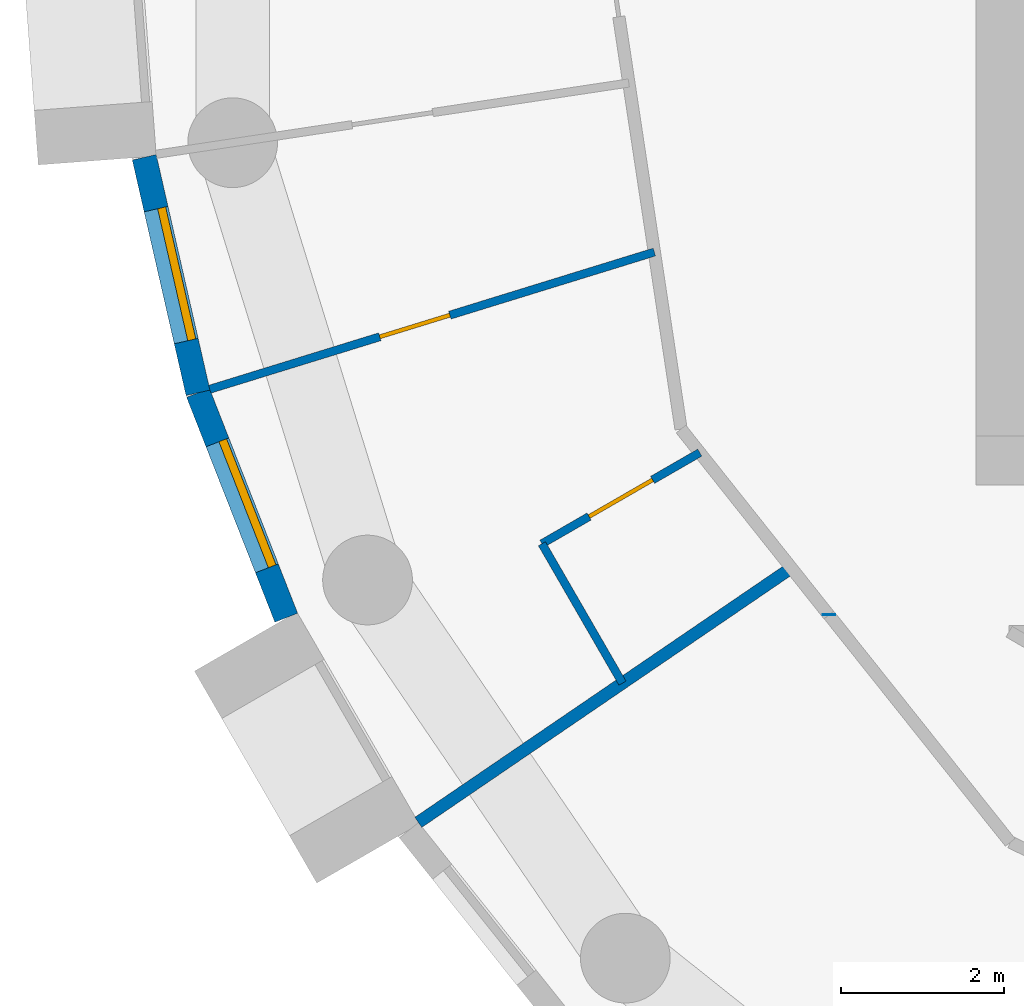
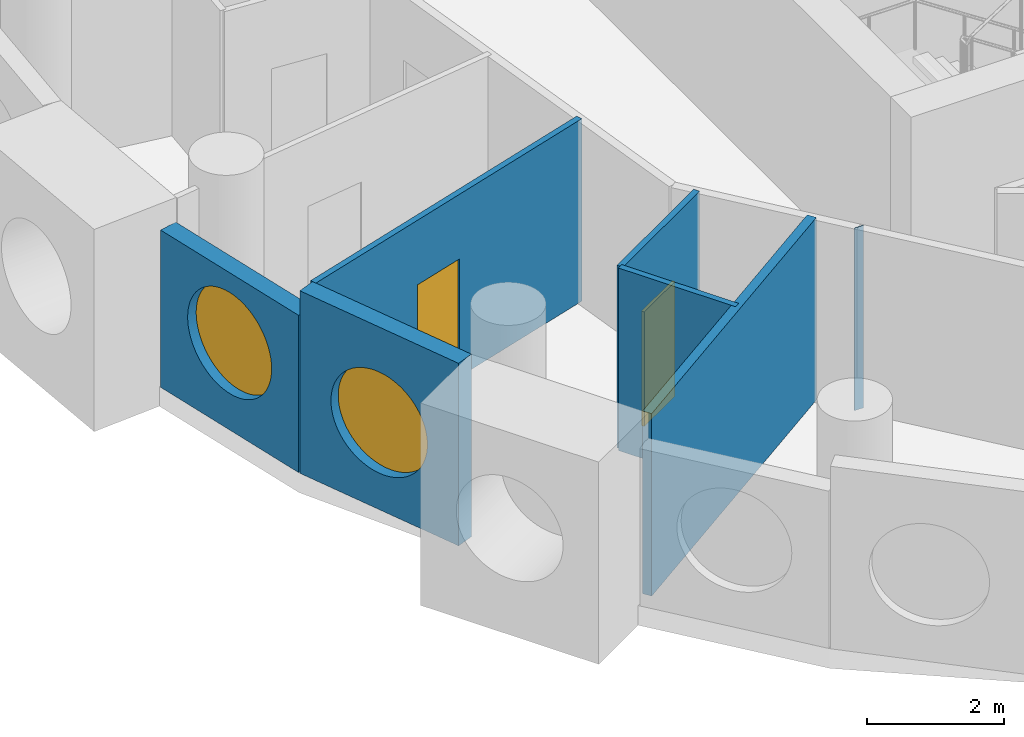
# One storey, part 2 of 11: 7 walls, 2 doors, 2 windows, 4 openings.
"""IFC4 building model written with IfcOpenShell, lengths in metres."""

from ifc_helpers import new_model, si_unit, direction, frame, frame_2d, origin, origin_2d, place, context, subcontext, project, spatial, rectangle, circle, extrude, material, layer, layer_set, type_object, element, fill, save


model = new_model("IFC4")

# Units and contexts
model_context = context("Model", 3, precision=1e-05, world=origin(), true_north=direction((0.0, 1.0)))
body_context = subcontext(model_context, "Body", "Model", "MODEL_VIEW")
ifc_project = project(units=[si_unit("LENGTHUNIT", "METRE"), si_unit("AREAUNIT", "SQUARE_METRE"), si_unit("VOLUMEUNIT", "CUBIC_METRE"), si_unit("PLANEANGLEUNIT", "RADIAN"), si_unit("MASSUNIT", "GRAM", prefix="KILO")], contexts=[model_context])

# Site, building, storey
site_placement = place(None, origin())
site = spatial("IfcSite", under=ifc_project, at=site_placement, CompositionType="ELEMENT")
building_placement = place(site_placement, origin())
building = spatial("IfcBuilding", under=site, at=building_placement, Name="Tracery Tower", CompositionType="ELEMENT")
storey_placement = place(building_placement, frame((0.0, 0.0, 267.0)))
storey = spatial("IfcBuildingStorey", under=building, at=storey_placement, Name="L69", CompositionType="ELEMENT", Elevation=267.0)

# Wall, opening, window
ifc_material_1 = material(Name="Precast concrete C50/60", Category="concrete")
ifc_layer_1 = layer(ifc_material_1, 0.300048828125)
ifc_layer_set_1 = layer_set([ifc_layer_1], Name="Facade panel 3000 x 2800")
wall_type_1 = type_object("IfcWallType", Name="Facade panel 3000 x 2800", PredefinedType="SOLIDWALL", material=ifc_layer_set_1)
wall_1_placement = place(storey_placement, frame((-19.69580078125, -2.984130859375, 0.0), z_axis=(0.0, 0.0, 1.0), x_axis=(0.222529389789, -0.974925982155, 0.0)))
wall_1 = element("IfcWall", 1, at=wall_1_placement, inside=storey, type_object=wall_type_1, Name="Facade panel 23 at L69", PredefinedType="SOLIDWALL", context=body_context, shape_type="SweptSolid", body=[
    extrude(rectangle(XDim=2.962158203125, YDim=0.300048828125, at=frame_2d((1.48095703125, 0.0))), origin(), (0.0, 0.0, 1.0), 2.800048828125),
])
opening_1_placement = place(wall_1_placement, frame((1.48095703125, 0.0, 1.5498046875)))
opening_1 = element("IfcOpeningElement", 2, at=opening_1_placement, cuts=wall_1, Name="Opening WN1", PredefinedType="OPENING", context=body_context, shape_type="SweptSolid", body=[
    extrude(circle(Radius=0.9000244140625, at=origin_2d()), frame((0.0, 0.159912109375, 0.0), z_axis=(0.0, -1.0, 0.0), x_axis=(1.0, 0.0, 0.0)), (0.0, 0.0, 1.0), 0.320068359375),
])
ifc_material_2 = material(Name="Aluminium frame with tinted double glazing", Category="aluminium")
window_type = type_object("IfcWindowType", Name="Round window 1800", PartitioningType="SINGLE_PANEL", PredefinedType="WINDOW", material=ifc_material_2)
window_1_placement = place(opening_1_placement, origin())
window_1 = element("IfcWindow", 3, at=window_1_placement, inside=storey, type_object=window_type, Name="Round window 23 at L69", OverallHeight=1.800048828125, OverallWidth=1.800048828125, PartitioningType="SINGLE_PANEL", PredefinedType="WINDOW", context=body_context, shape_type="SweptSolid", body=[
    extrude(circle(Radius=0.9000244140625, at=origin_2d()), frame((0.0, 0.1201171875, 0.0), z_axis=(0.0, -1.0, 0.0), x_axis=(1.0, 0.0, 0.0)), (0.0, 0.0, 1.0), 0.10009765625),
])
fill(opening_1, window_1)

ifc_material_3 = material(Name="Precast concrete C50/60", Category="concrete")
ifc_layer_2 = layer(ifc_material_3, 0.300048828125)
ifc_layer_set_2 = layer_set([ifc_layer_2], Name="Facade panel 3000 x 3250")
wall_type_2 = type_object("IfcWallType", Name="Facade panel 3000 x 3250", PredefinedType="SOLIDWALL", material=ifc_layer_set_2)
wall_2_placement = place(storey_placement, frame((-19.03662109375, -5.8720703125, 0.0), z_axis=(0.0, 0.0, 1.0), x_axis=(0.36530043032, -0.930889679612, 0.0)))
wall_2 = element("IfcWall", 4, at=wall_2_placement, inside=storey, type_object=wall_type_2, Name="Facade panel 24 at L69", PredefinedType="SOLIDWALL", context=body_context, shape_type="SweptSolid", body=[
    extrude(rectangle(XDim=2.9619140625, YDim=0.300048828125, at=frame_2d((1.48095703125, 0.0))), origin(), (0.0, 0.0, 1.0), 3.25),
])
opening_2_placement = place(wall_2_placement, frame((1.48095703125, 0.0, 1.5498046875)))
opening_2 = element("IfcOpeningElement", 5, at=opening_2_placement, cuts=wall_2, Name="Opening WN1", PredefinedType="OPENING", context=body_context, shape_type="SweptSolid", body=[
    extrude(circle(Radius=0.9000244140625, at=origin_2d()), frame((0.0, 0.159912109375, 0.0), z_axis=(0.0, -1.0, 0.0), x_axis=(1.0, 0.0, 0.0)), (0.0, 0.0, 1.0), 0.320068359375),
])
window_2_placement = place(opening_2_placement, origin())
window_2 = element("IfcWindow", 6, at=window_2_placement, inside=storey, type_object=window_type, Name="Round window 24 at L69", OverallHeight=1.800048828125, OverallWidth=1.800048828125, PartitioningType="SINGLE_PANEL", PredefinedType="WINDOW", context=body_context, shape_type="SweptSolid", body=[
    extrude(circle(Radius=0.9000244140625, at=origin_2d()), frame((0.0, 0.1201171875, 0.0), z_axis=(0.0, -1.0, 0.0), x_axis=(1.0, 0.0, 0.0)), (0.0, 0.0, 1.0), 0.10009765625),
])
fill(opening_2, window_2)

# Wall, opening, door
ifc_material_4 = material(Name="Plasterboard on steel studs", Category="steel")
ifc_layer_3 = layer(ifc_material_4, 0.10009765625)
ifc_layer_set_3 = layer_set([ifc_layer_3], Name="Partition 100 stud")
wall_type_3 = type_object("IfcWallType", Name="Partition 100 stud", PredefinedType="PARTITIONING", material=ifc_layer_set_3)
wall_3_placement = place(storey_placement, frame((-18.89306640625, -5.827880859375, 0.0), z_axis=(0.0, 0.0, 1.0), x_axis=(0.955552020905, 0.294822548908, 0.0)))
wall_3 = element("IfcWall", 7, at=wall_3_placement, inside=storey, type_object=wall_type_3, Name="Stud partition RC4-057", PredefinedType="PARTITIONING", context=body_context, shape_type="SweptSolid", body=[
    extrude(rectangle(XDim=5.704833984375, YDim=0.10009765625, at=frame_2d((2.8525390625, 0.0))), origin(), (0.0, 0.0, 1.0), 3.25),
])
opening_3_placement = place(wall_3_placement, frame((2.181640625, 0.0, 0.0)))
opening_3 = element("IfcOpeningElement", 8, at=opening_3_placement, cuts=wall_3, Name="Opening RC4-18", PredefinedType="OPENING", context=body_context, shape_type="SweptSolid", body=[
    extrude(rectangle(XDim=0.89990234375, YDim=2.10009765625, at=frame_2d((0.449951171875, 1.050048828125))), frame((0.0, 0.050048828125, 0.0), z_axis=(0.0, -1.0, 0.0), x_axis=(1.0, 0.0, 0.0)), (0.0, 0.0, 1.0), 0.10009765625),
])
ifc_material_5 = material(Name="Timber door leaf", Category="wood")
door_type_1 = type_object("IfcDoorType", Name="Door bedroom 900", OperationType="NOTDEFINED", PredefinedType="DOOR", material=ifc_material_5)
door_1_placement = place(opening_3_placement, origin())
door_1 = element("IfcDoor", 9, at=door_1_placement, inside=storey, type_object=door_type_1, Name="Bedroom door RC4-18", OperationType="SINGLE_SWING_RIGHT", OverallHeight=2.10009765625, OverallWidth=0.89990234375, PredefinedType="DOOR", context=body_context, shape_type="SweptSolid", body=[
    extrude(rectangle(XDim=0.89990234375, YDim=2.10009765625, at=frame_2d((0.449951171875, 1.050048828125))), frame((0.0, 0.02490234375, 0.0), z_axis=(0.0, -1.0, 0.0), x_axis=(1.0, 0.0, 0.0)), (0.0, 0.0, 1.0), 0.050048828125),
])
fill(opening_3, door_1)

ifc_material_6 = material(Name="Plasterboard on steel studs", Category="steel")
ifc_layer_4 = layer(ifc_material_6, 0.10009765625)
ifc_layer_set_4 = layer_set([ifc_layer_4], Name="Partition 100 wet wall")
wall_type_4 = type_object("IfcWallType", Name="Partition 100 wet wall", PredefinedType="PARTITIONING", material=ifc_layer_set_4)
wall_4_placement = place(storey_placement, frame((-14.820068359375, -7.721923828125, 0.0), z_axis=(0.0, 0.0, 1.0), x_axis=(0.866076416361, 0.499911633214, 0.0)))
wall_4 = element("IfcWall", 10, at=wall_4_placement, inside=storey, type_object=wall_type_4, Name="Wet wall RC4-061", PredefinedType="PARTITIONING", context=body_context, shape_type="SweptSolid", body=[
    extrude(rectangle(XDim=2.234375, YDim=0.10009765625, at=frame_2d((1.1171875, 0.0))), origin(), (0.0, 0.0, 1.0), 3.25),
])
opening_4_placement = place(wall_4_placement, frame((0.667236328125, 0.0, 0.0)))
opening_4 = element("IfcOpeningElement", 11, at=opening_4_placement, cuts=wall_4, Name="Opening RC4-19", PredefinedType="OPENING", context=body_context, shape_type="SweptSolid", body=[
    extrude(rectangle(XDim=0.89990234375, YDim=2.0400390625, at=frame_2d((0.449951171875, 1.02001953125))), frame((0.0, 0.050048828125, 0.0), z_axis=(0.0, -1.0, 0.0), x_axis=(1.0, 0.0, 0.0)), (0.0, 0.0, 1.0), 0.10009765625),
])
ifc_material_7 = material(Name="Timber door leaf", Category="wood")
door_type_2 = type_object("IfcDoorType", Name="Door en-suite 900", OperationType="NOTDEFINED", PredefinedType="DOOR", material=ifc_material_7)
door_2_placement = place(opening_4_placement, origin())
door_2 = element("IfcDoor", 12, at=door_2_placement, inside=storey, type_object=door_type_2, Name="En-suite door RC4-19", OperationType="SINGLE_SWING_LEFT", OverallHeight=2.0400390625, OverallWidth=0.89990234375, PredefinedType="DOOR", context=body_context, shape_type="SweptSolid", body=[
    extrude(rectangle(XDim=0.89990234375, YDim=2.0400390625, at=frame_2d((0.449951171875, 1.02001953125))), frame((0.0, 0.02490234375, 0.0), z_axis=(0.0, -1.0, 0.0), x_axis=(1.0, 0.0, 0.0)), (0.0, 0.0, 1.0), 0.050048828125),
])
fill(opening_4, door_2)

# Walls
wall_5_placement = place(storey_placement, frame((-14.820068359375, -7.721923828125, 0.0), z_axis=(0.0, 0.0, 1.0), x_axis=(0.500143626598, -0.865942465048, 0.0)))
element("IfcWall", 13, at=wall_5_placement, inside=storey, type_object=wall_type_4, Name="Wet wall RC4-062", PredefinedType="PARTITIONING", context=body_context, shape_type="SweptSolid", body=[
    extrude(rectangle(XDim=1.9736328125, YDim=0.10009765625, at=frame_2d((0.98681640625, 0.0))), origin(), (0.0, 0.0, 1.0), 3.25),
])
ifc_material_8 = material(Name="Plasterboard on steel studs", Category="steel")
ifc_layer_5 = layer(ifc_material_8, 0.14990234375)
ifc_layer_set_5 = layer_set([ifc_layer_5], Name="Partition 150 acoustic unit wall")
wall_type_5 = type_object("IfcWallType", Name="Partition 150 acoustic unit wall", PredefinedType="PARTITIONING", material=ifc_layer_set_5)
wall_6_placement = place(storey_placement, frame((-16.3359375, -11.137939453125, 0.0), z_axis=(0.0, 0.0, 1.0), x_axis=(0.82615274451, 0.563446219917, 0.0)))
element("IfcWall", 14, at=wall_6_placement, inside=storey, type_object=wall_type_5, Name="Unit wall RC4-063", PredefinedType="PARTITIONING", context=body_context, shape_type="SweptSolid", body=[
    extrude(rectangle(XDim=5.539794921875, YDim=0.14990234375, at=frame_2d((2.77001953125, 0.0))), origin(), (0.0, 0.0, 1.0), 3.25),
])
ifc_material_9 = material(Name="Plasterboard on steel studs", Category="steel")
ifc_layer_6 = layer(ifc_material_9, 0.14990234375)
ifc_layer_set_6 = layer_set([ifc_layer_6], Name="Partition 150 corridor wall")
wall_type_6 = type_object("IfcWallType", Name="Partition 150 corridor wall", PredefinedType="PARTITIONING", material=ifc_layer_set_6)
wall_7_placement = place(storey_placement, frame((-11.300048828125, -8.59619140625, 0.0), z_axis=(0.0, 0.0, 1.0), x_axis=(0.0, 1.0, 0.0)))
element("IfcWall", 15, at=wall_7_placement, inside=storey, type_object=wall_type_6, Name="Corridor wall RC4-012", PredefinedType="PARTITIONING", context=body_context, shape_type="SweptSolid", body=[
    extrude(rectangle(XDim=0.00927734375, YDim=0.14990234375, at=frame_2d((0.004638671875, 0.0))), origin(), (0.0, 0.0, 1.0), 3.25),
])

save(model, "model.ifc")
